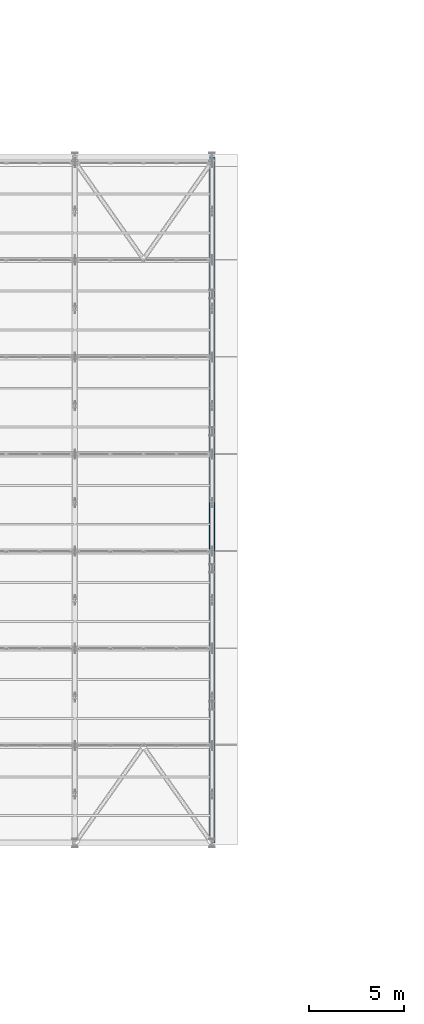
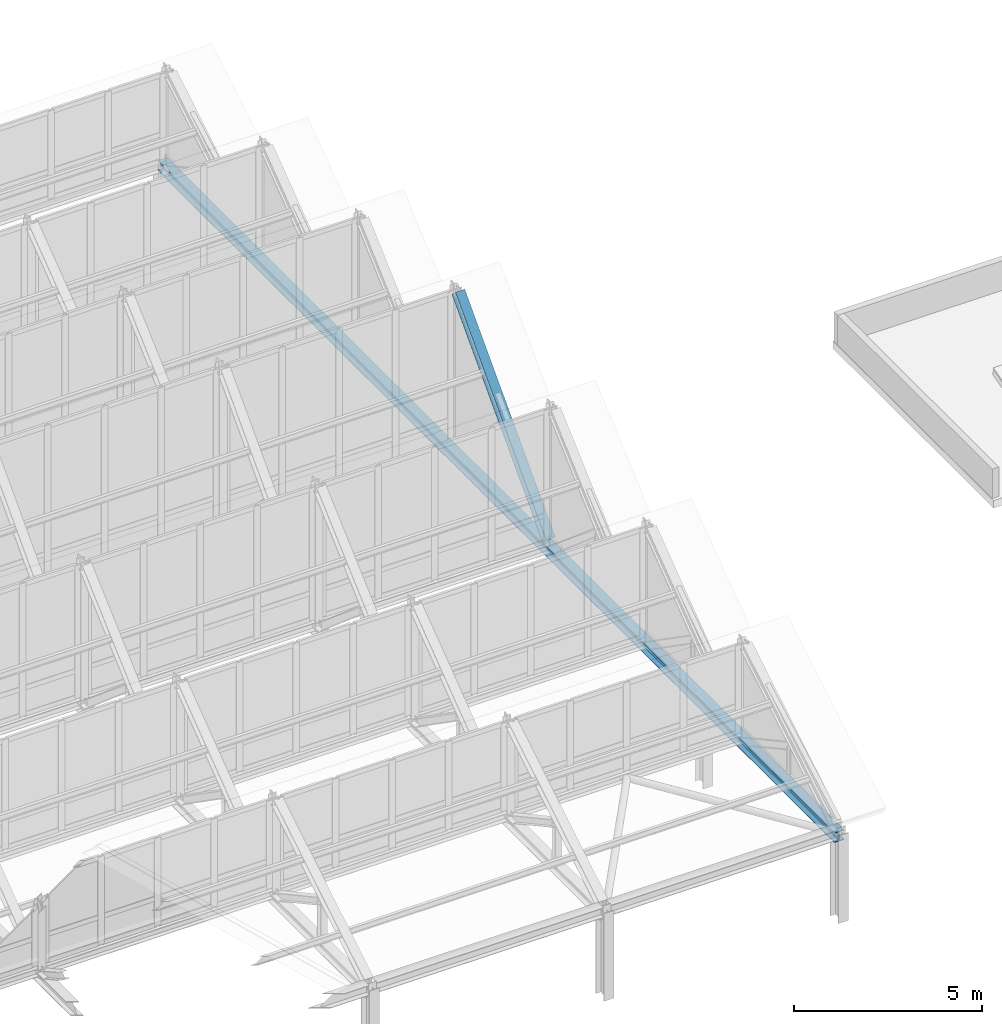
# One storey, part 66 of 157: 2 members.
"""IFC4 building model written with IfcOpenShell, lengths in metres."""

from ifc_helpers import new_model, si_unit, direction, frame, origin, origin_2d, place, context, subcontext, project, spatial, i_section, extrude, material, material_profile, profile_set, type_object, element, save


model = new_model("IFC4")

# Units and contexts
model_context = context("Model", 3, precision=1e-05, world=origin(), true_north=direction((0.0, 1.0)))
body_context = subcontext(model_context, "Body", "Model", "MODEL_VIEW")
ifc_project = project(units=[si_unit("LENGTHUNIT", "METRE"), si_unit("AREAUNIT", "SQUARE_METRE"), si_unit("VOLUMEUNIT", "CUBIC_METRE"), si_unit("PLANEANGLEUNIT", "RADIAN"), si_unit("MASSUNIT", "GRAM", prefix="KILO")], contexts=[model_context])

# Site, building, storey
site_placement = place(None, origin())
site = spatial("IfcSite", under=ifc_project, at=site_placement, CompositionType="ELEMENT")
building_placement = place(site_placement, origin())
building = spatial("IfcBuilding", under=site, at=building_placement, Name="Suanplinth Sawtooth Commons", CompositionType="ELEMENT")
storey_placement = place(building_placement, frame((0.0, 0.0, 9.0)))
storey = spatial("IfcBuildingStorey", under=building, at=storey_placement, Name="L02", CompositionType="ELEMENT", Elevation=9.0)

# Members
ifc_material = material(Name="Steel S355JR", Category="steel")
ifc_material_profile_1 = material_profile(ifc_material, i_section(OverallWidth=0.300048828125, OverallDepth=0.320068359375, WebThickness=0.011474609375, FlangeThickness=0.0205078125, at=origin_2d()), Name="HEB 320")
ifc_profile_set_1 = profile_set([ifc_material_profile_1], Name="Steel S355JR")
member_type_1 = type_object("IfcMemberType", Name="M-01", PredefinedType="CHORD", material=ifc_profile_set_1)
member_1_placement = place(storey_placement, frame((115.199951171875, 50.39990234375, 2.64990234375), z_axis=(0.0, 1.0, 0.0), x_axis=(-1.0, 0.0, 0.0)))
element("IfcMember", 1, at=member_1_placement, inside=storey, type_object=member_type_1, Name="Sawtooth Truss T8 Bottom Chord", PredefinedType="CHORD", context=body_context, shape_type="SweptSolid", body=[
    extrude(i_section(OverallWidth=0.300048828125, OverallDepth=0.320068359375, WebThickness=0.011474609375, FlangeThickness=0.0205078125, at=origin_2d()), origin(), (0.0, 0.0, 1.0), 36.0),
])
ifc_material_profile_2 = material_profile(ifc_material, i_section(OverallWidth=0.280029296875, OverallDepth=0.280029296875, WebThickness=0.010498046875, FlangeThickness=0.01806640625, at=origin_2d()), Name="HEB 280")
ifc_profile_set_2 = profile_set([ifc_material_profile_2], Name="Steel S355JR")
member_type_2 = type_object("IfcMemberType", Name="M-02", PredefinedType="CHORD", material=ifc_profile_set_2)
member_2_placement = place(storey_placement, frame((115.199951171875, 65.840087890625, 2.919921875), z_axis=(0.0, 0.685431841642, 0.728136793785), x_axis=(-1.0, 0.0, 0.0)))
element("IfcMember", 2, at=member_2_placement, inside=storey, type_object=member_type_2, Name="Sawtooth Truss T8 Top Chord 4", PredefinedType="CHORD", context=body_context, shape_type="SweptSolid", body=[
    extrude(i_section(OverallWidth=0.280029296875, OverallDepth=0.280029296875, WebThickness=0.010498046875, FlangeThickness=0.01806640625, at=origin_2d()), origin(), (0.0, 0.0, 1.0), 7.03173828125),
])

save(model, "model.ifc")
